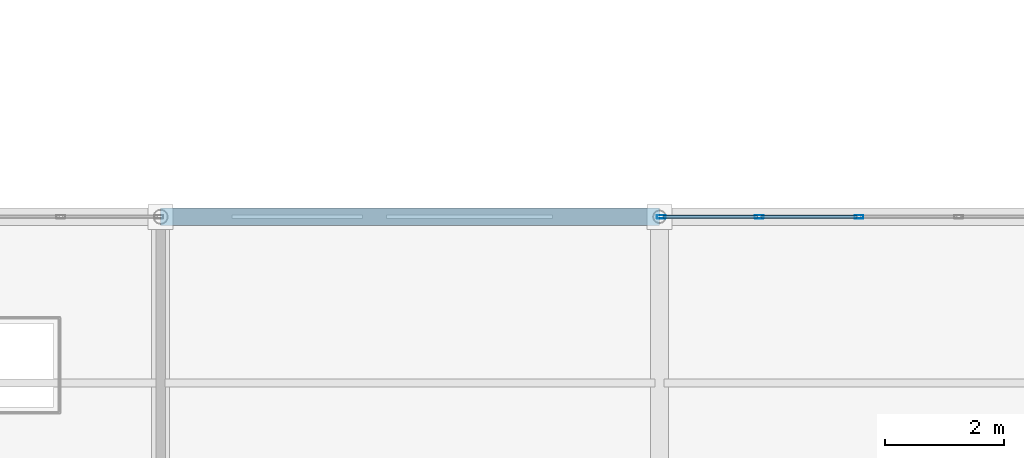
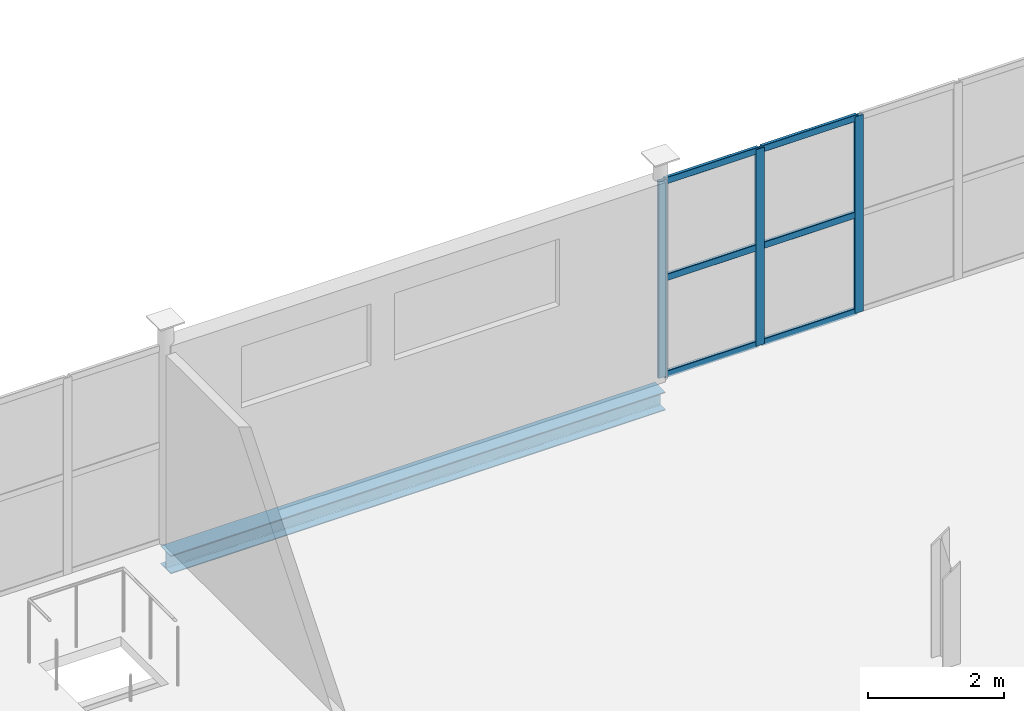
# One storey, part 100 of 163: 9 members, 1 beam, 1 element without a shape of its own.
"""IFC4 building model written with IfcOpenShell, lengths in metres."""

from ifc_helpers import new_model, si_unit, direction, frame, origin, origin_2d, place, context, subcontext, project, spatial, hollow_rectangle, i_section, extrude, material, layer, layer_set, material_profile, profile_set, type_object, element, aggregate, save


model = new_model("IFC4")

# Units and contexts
model_context = context("Model", 3, precision=1e-05, world=origin(), true_north=direction((0.0, 1.0)))
body_context = subcontext(model_context, "Body", "Model", "MODEL_VIEW")
ifc_project = project(units=[si_unit("LENGTHUNIT", "METRE"), si_unit("AREAUNIT", "SQUARE_METRE"), si_unit("VOLUMEUNIT", "CUBIC_METRE"), si_unit("PLANEANGLEUNIT", "RADIAN"), si_unit("MASSUNIT", "GRAM", prefix="KILO")], contexts=[model_context])

# Site, building, storey
site_placement = place(None, origin())
site = spatial("IfcSite", under=ifc_project, at=site_placement, CompositionType="ELEMENT")
building_placement = place(site_placement, origin())
building = spatial("IfcBuilding", under=site, at=building_placement, Name="Qalvenar Corner Mobility Hub", CompositionType="ELEMENT")
storey_placement = place(building_placement, frame((0.0, 0.0, 4.800048828125)))
storey = spatial("IfcBuildingStorey", under=building, at=storey_placement, Name="L01", CompositionType="ELEMENT", Elevation=4.800048828125)

# Beam
ifc_material_1 = material(Name="Steel S355", Category="steel")
ifc_material_profile_1 = material_profile(ifc_material_1, i_section(OverallWidth=0.300048828125, OverallDepth=0.330078125, WebThickness=0.009521484375, FlangeThickness=0.0166015625, FilletRadius=0.027099609375, at=origin_2d()), Name="HEA340")
ifc_profile_set_1 = profile_set([ifc_material_profile_1], Name="Steel S355")
beam_type = type_object("IfcBeamType", Name="BM-SPN340", PredefinedType="SPANDREL", material=ifc_profile_set_1)
beam_placement = place(storey_placement, frame((134.39990234375, 50.39990234375, -0.344970703125), z_axis=(1.0, 0.0, 0.0), x_axis=(0.0, 1.0, 0.0)))
element("IfcBeam", 1, at=beam_placement, inside=storey, type_object=beam_type, Name="Primary Steel Girder GX-1023", PredefinedType="SPANDREL", context=body_context, shape_type="SweptSolid", body=[
    extrude(i_section(OverallWidth=0.300048828125, OverallDepth=0.330078125, WebThickness=0.009521484375, FlangeThickness=0.0166015625, FilletRadius=0.027099609375, at=origin_2d()), origin(), (0.0, 0.0, 1.0), 8.400146484375),
])

# Curtain wall, members
ifc_material_2 = material(Name="Anodised Aluminium and Low-E Glazing", Category="aluminium")
ifc_layer = layer(ifc_material_2, 0.14990234375)
ifc_layer_set = layer_set([ifc_layer], Name="Anodised Aluminium and Low-E Glazing")
curtain_wall_type = type_object("IfcCurtainWallType", Name="CW-WKS-84X44", PredefinedType="NOTDEFINED", material=ifc_layer_set)
curtain_wall_placement = place(storey_placement, origin())
curtain_wall = element("IfcCurtainWall", 2, at=curtain_wall_placement, inside=storey, type_object=curtain_wall_type, Name="Glazed Curtain Wall CW-V6-L01-N4", PredefinedType="NOTDEFINED")
ifc_material_3 = material(Name="Anodised Aluminium 6063-T6", Category="aluminium")
ifc_material_profile_2 = material_profile(ifc_material_3, hollow_rectangle(XDim=0.06005859375, YDim=0.14990234375, WallThickness=0.00390625, InnerFilletRadius=0.00390625, OuterFilletRadius=0.008056640625, at=origin_2d()), Name="RHS150x60x4")
ifc_profile_set_2 = profile_set([ifc_material_profile_2], Name="Anodised Aluminium 6063-T6")
member_type_1 = type_object("IfcMemberType", Name="CW-MUL150", PredefinedType="MULLION", material=ifc_profile_set_2)
member_1_placement = place(storey_placement, frame((146.159912109375, 50.39990234375, 0.0), z_axis=(0.0, 0.0, 1.0), x_axis=(0.0, -1.0, 0.0)))
member_1 = element("IfcMember", 3, at=member_1_placement, type_object=member_type_1, Name="CW-09 mullion 4", PredefinedType="MULLION", context=body_context, shape_type="SweptSolid", body=[
    extrude(hollow_rectangle(XDim=0.06005859375, YDim=0.14990234375, WallThickness=0.00390625, InnerFilletRadius=0.00390625, OuterFilletRadius=0.008056640625, at=origin_2d()), origin(), (0.0, 0.0, 1.0), 3.530029296875),
])
member_2_placement = place(storey_placement, frame((144.47998046875, 50.39990234375, 0.0), z_axis=(0.0, 0.0, 1.0), x_axis=(0.0, -1.0, 0.0)))
member_2 = element("IfcMember", 4, at=member_2_placement, type_object=member_type_1, Name="CW-09 mullion 5", PredefinedType="MULLION", context=body_context, shape_type="SweptSolid", body=[
    extrude(hollow_rectangle(XDim=0.06005859375, YDim=0.14990234375, WallThickness=0.00390625, InnerFilletRadius=0.00390625, OuterFilletRadius=0.008056640625, at=origin_2d()), origin(), (0.0, 0.0, 1.0), 3.530029296875),
])
member_3_placement = place(storey_placement, frame((142.830078125, 50.39990234375, 0.0), z_axis=(0.0, 0.0, 1.0), x_axis=(0.0, -1.0, 0.0)))
member_3 = element("IfcMember", 5, at=member_3_placement, type_object=member_type_1, Name="CW-09 mullion 6", PredefinedType="MULLION", context=body_context, shape_type="SweptSolid", body=[
    extrude(hollow_rectangle(XDim=0.06005859375, YDim=0.14990234375, WallThickness=0.00390625, InnerFilletRadius=0.00390625, OuterFilletRadius=0.008056640625, at=origin_2d()), origin(), (0.0, 0.0, 1.0), 3.530029296875),
])
ifc_material_profile_3 = material_profile(ifc_material_3, hollow_rectangle(XDim=0.054931640625, YDim=0.1201171875, WallThickness=0.00341796875, InnerFilletRadius=0.00341796875, OuterFilletRadius=0.007080078125, at=origin_2d()), Name="RHS120x55x3.5")
ifc_profile_set_3 = profile_set([ifc_material_profile_3], Name="Anodised Aluminium 6063-T6")
member_type_2 = type_object("IfcMemberType", Name="CW-TRN120", PredefinedType="USERDEFINED", material=ifc_profile_set_3)
member_4_placement = place(storey_placement, frame((146.1298828125, 50.39990234375, 0.02734375), z_axis=(-1.0, 0.0, 0.0), x_axis=(0.0, -1.0, 0.0)))
member_4 = element("IfcMember", 6, at=member_4_placement, type_object=member_type_2, Name="CW-09 transom 4.1", ObjectType="TRANSOM", PredefinedType="USERDEFINED", context=body_context, shape_type="SweptSolid", body=[
    extrude(hollow_rectangle(XDim=0.054931640625, YDim=0.1201171875, WallThickness=0.00341796875, InnerFilletRadius=0.00341796875, OuterFilletRadius=0.007080078125, at=origin_2d()), origin(), (0.0, 0.0, 1.0), 1.619873046875),
])
member_5_placement = place(storey_placement, frame((146.1298828125, 50.39990234375, 1.764892578125), z_axis=(-1.0, 0.0, 0.0), x_axis=(0.0, -1.0, 0.0)))
member_5 = element("IfcMember", 7, at=member_5_placement, type_object=member_type_2, Name="CW-09 transom 4.2", ObjectType="TRANSOM", PredefinedType="USERDEFINED", context=body_context, shape_type="SweptSolid", body=[
    extrude(hollow_rectangle(XDim=0.054931640625, YDim=0.1201171875, WallThickness=0.00341796875, InnerFilletRadius=0.00341796875, OuterFilletRadius=0.007080078125, at=origin_2d()), origin(), (0.0, 0.0, 1.0), 1.619873046875),
])
member_6_placement = place(storey_placement, frame((146.1298828125, 50.39990234375, 3.50244140625), z_axis=(-1.0, 0.0, 0.0), x_axis=(0.0, -1.0, 0.0)))
member_6 = element("IfcMember", 8, at=member_6_placement, type_object=member_type_2, Name="CW-09 transom 4.3", ObjectType="TRANSOM", PredefinedType="USERDEFINED", context=body_context, shape_type="SweptSolid", body=[
    extrude(hollow_rectangle(XDim=0.054931640625, YDim=0.1201171875, WallThickness=0.00341796875, InnerFilletRadius=0.00341796875, OuterFilletRadius=0.007080078125, at=origin_2d()), origin(), (0.0, 0.0, 1.0), 1.619873046875),
])
member_7_placement = place(storey_placement, frame((144.449951171875, 50.39990234375, 0.02734375), z_axis=(-1.0, 0.0, 0.0), x_axis=(0.0, -1.0, 0.0)))
member_7 = element("IfcMember", 9, at=member_7_placement, type_object=member_type_2, Name="CW-09 transom 5.1", ObjectType="TRANSOM", PredefinedType="USERDEFINED", context=body_context, shape_type="SweptSolid", body=[
    extrude(hollow_rectangle(XDim=0.054931640625, YDim=0.1201171875, WallThickness=0.00341796875, InnerFilletRadius=0.00341796875, OuterFilletRadius=0.007080078125, at=origin_2d()), origin(), (0.0, 0.0, 1.0), 1.58984375),
])
member_8_placement = place(storey_placement, frame((144.449951171875, 50.39990234375, 1.764892578125), z_axis=(-1.0, 0.0, 0.0), x_axis=(0.0, -1.0, 0.0)))
member_8 = element("IfcMember", 10, at=member_8_placement, type_object=member_type_2, Name="CW-09 transom 5.2", ObjectType="TRANSOM", PredefinedType="USERDEFINED", context=body_context, shape_type="SweptSolid", body=[
    extrude(hollow_rectangle(XDim=0.054931640625, YDim=0.1201171875, WallThickness=0.00341796875, InnerFilletRadius=0.00341796875, OuterFilletRadius=0.007080078125, at=origin_2d()), origin(), (0.0, 0.0, 1.0), 1.58984375),
])
member_9_placement = place(storey_placement, frame((144.449951171875, 50.39990234375, 3.50244140625), z_axis=(-1.0, 0.0, 0.0), x_axis=(0.0, -1.0, 0.0)))
member_9 = element("IfcMember", 11, at=member_9_placement, type_object=member_type_2, Name="CW-09 transom 5.3", ObjectType="TRANSOM", PredefinedType="USERDEFINED", context=body_context, shape_type="SweptSolid", body=[
    extrude(hollow_rectangle(XDim=0.054931640625, YDim=0.1201171875, WallThickness=0.00341796875, InnerFilletRadius=0.00341796875, OuterFilletRadius=0.007080078125, at=origin_2d()), origin(), (0.0, 0.0, 1.0), 1.58984375),
])
aggregate(curtain_wall, [member_1, member_2, member_3, member_4, member_5, member_6, member_7, member_8, member_9])

save(model, "model.ifc")
